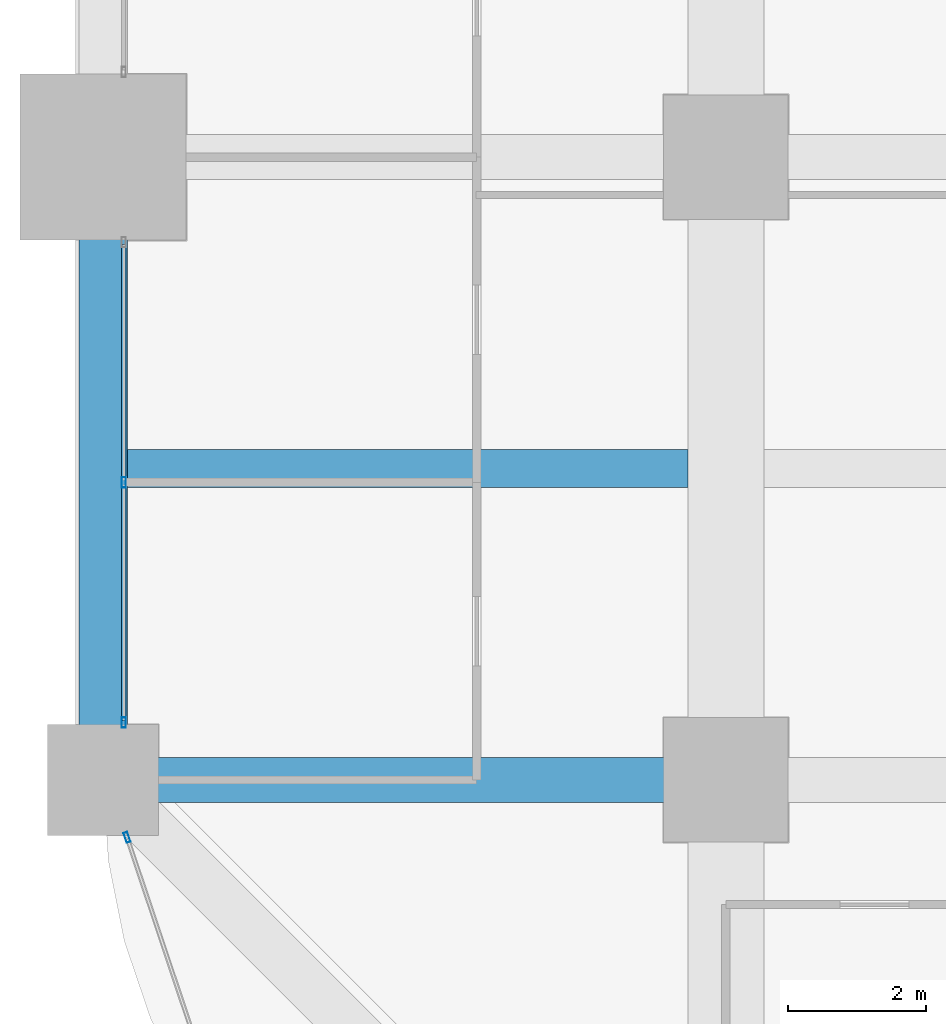
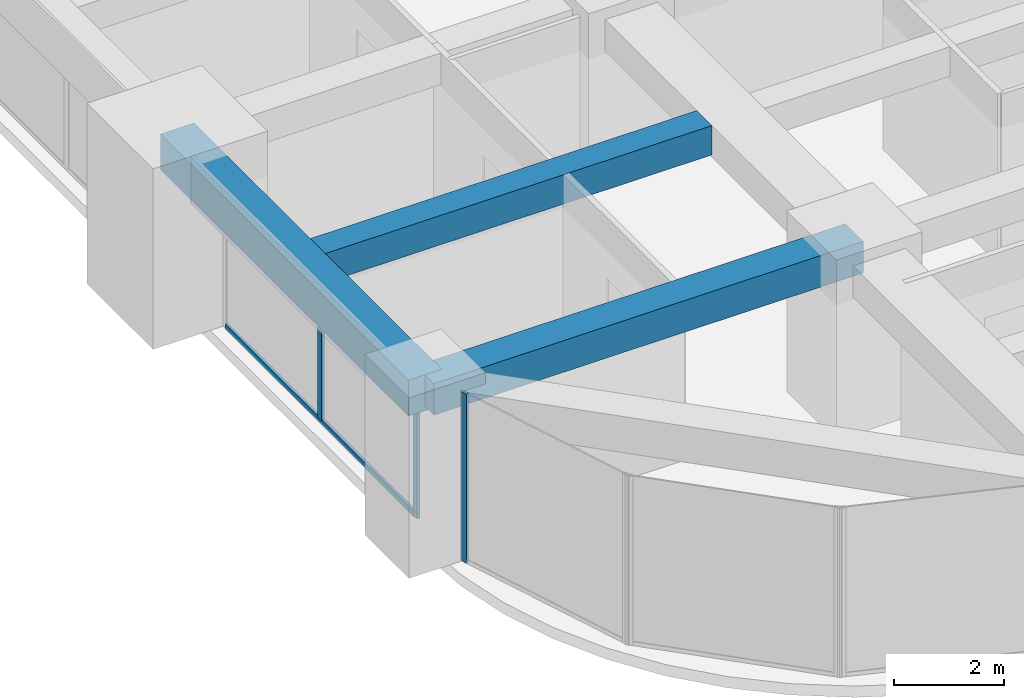
# One storey, part 4 of 41: 4 members, 3 beams, 2 elements without a shape of their own.
"""IFC4 building model written with IfcOpenShell, lengths in metres."""

from ifc_helpers import new_model, si_unit, direction, frame, origin, origin_2d, place, context, subcontext, project, spatial, rectangle, hollow_rectangle, extrude, material, material_profile, profile_set, type_object, element, aggregate, save


model = new_model("IFC4")

# Units and contexts
model_context = context("Model", 3, precision=1e-05, world=origin(), true_north=direction((0.0, 1.0)))
body_context = subcontext(model_context, "Body", "Model", "MODEL_VIEW")
ifc_project = project(units=[si_unit("LENGTHUNIT", "METRE"), si_unit("AREAUNIT", "SQUARE_METRE"), si_unit("VOLUMEUNIT", "CUBIC_METRE"), si_unit("PLANEANGLEUNIT", "RADIAN"), si_unit("MASSUNIT", "GRAM", prefix="KILO")], contexts=[model_context])

# Site, building, storey
site_placement = place(None, origin())
site = spatial("IfcSite", under=ifc_project, at=site_placement, CompositionType="ELEMENT")
building_placement = place(site_placement, origin())
building = spatial("IfcBuilding", under=site, at=building_placement, Name="Zorevar Civic Tower", CompositionType="ELEMENT")
storey_placement = place(building_placement, frame((0.0, 0.0, 137.0)))
storey = spatial("IfcBuildingStorey", under=building, at=storey_placement, Name="L33", CompositionType="ELEMENT", Elevation=137.0)

# Beams
ifc_material_1 = material(Name="Concrete C50/60", Category="concrete")
ifc_material_profile_1 = material_profile(ifc_material_1, rectangle(XDim=0.550048828125, YDim=0.64990234375, at=origin_2d()), Name="RC 550x650")
ifc_profile_set_1 = profile_set([ifc_material_profile_1], Name="Concrete C50/60")
beam_type_1 = type_object("IfcBeamType", Name="Beam RC 550x650", PredefinedType="BEAM", material=ifc_profile_set_1)
beam_1_placement = place(storey_placement, frame((0.35009765625, 13.5, 3.425048828125), z_axis=(1.0, 0.0, 0.0), x_axis=(0.0, 1.0, 0.0)))
element("IfcBeam", 1, at=beam_1_placement, inside=storey, type_object=beam_type_1, Name="Secondary beam L34", PredefinedType="BEAM", context=body_context, shape_type="SweptSolid", body=[
    extrude(rectangle(XDim=0.550048828125, YDim=0.64990234375, at=origin_2d()), origin(), (0.0, 0.0, 1.0), 8.099853515625),
])
ifc_material_2 = material(Name="Concrete C50/60", Category="concrete")
ifc_material_profile_2 = material_profile(ifc_material_2, rectangle(XDim=0.64990234375, YDim=0.699951171875, at=origin_2d()), Name="RC 650x700")
ifc_profile_set_2 = profile_set([ifc_material_profile_2], Name="Concrete C50/60")
beam_type_2 = type_object("IfcBeamType", Name="Beam RC 650x700", PredefinedType="BEAM", material=ifc_profile_set_2)
beam_2_placement = place(storey_placement, frame((0.0, 9.0, 3.39990234375), z_axis=(1.0, 0.0, 0.0), x_axis=(0.0, 1.0, 0.0)))
element("IfcBeam", 2, at=beam_2_placement, inside=storey, type_object=beam_type_2, Name="Girder L34", PredefinedType="BEAM", context=body_context, shape_type="SweptSolid", body=[
    extrude(rectangle(XDim=0.64990234375, YDim=0.699951171875, at=origin_2d()), origin(), (0.0, 0.0, 1.0), 9.0),
])

# Curtain wall, members
ifc_material_3 = material(Name="Dark grey solar-control glass in black aluminium frame", Category="aluminium")
curtain_wall_type = type_object("IfcCurtainWallType", Name="Curtain wall CW3 mid zone", PredefinedType="NOTDEFINED", material=ifc_material_3)
curtain_wall_1_placement = place(storey_placement, origin())
curtain_wall_1 = element("IfcCurtainWall", 3, at=curtain_wall_1_placement, inside=storey, type_object=curtain_wall_type, Name="CW3 L33", PredefinedType="NOTDEFINED")
ifc_material_4 = material(Name="Aluminium, black anodised", Category="aluminium")
ifc_material_profile_3 = material_profile(ifc_material_4, hollow_rectangle(XDim=0.06005859375, YDim=0.14990234375, WallThickness=0.00390625, at=origin_2d()), Name="AL 150x60x4")
ifc_profile_set_3 = profile_set([ifc_material_profile_3], Name="Aluminium, black anodised")
member_type_1 = type_object("IfcMemberType", Name="CW3 mullion AL 150x60x4", PredefinedType="MULLION", material=ifc_profile_set_3)
member_1_placement = place(storey_placement, frame((0.300048828125, 9.830078125, 0.0), z_axis=(0.0, 0.0, 1.0), x_axis=(-1.0, 0.0, 0.0)))
member_1 = element("IfcMember", 4, at=member_1_placement, type_object=member_type_1, Name="CW3 mullion 1", PredefinedType="MULLION", context=body_context, shape_type="SweptSolid", body=[
    extrude(hollow_rectangle(XDim=0.06005859375, YDim=0.14990234375, WallThickness=0.00390625, at=origin_2d()), origin(), (0.0, 0.0, 1.0), 2.949951171875),
])
member_2_placement = place(storey_placement, frame((0.300048828125, 13.300048828125, 0.06005859375), z_axis=(0.0, 0.0, 1.0), x_axis=(-1.0, 0.0, 0.0)))
member_2 = element("IfcMember", 5, at=member_2_placement, type_object=member_type_1, Name="CW3 mullion 2", PredefinedType="MULLION", context=body_context, shape_type="SweptSolid", body=[
    extrude(hollow_rectangle(XDim=0.06005859375, YDim=0.14990234375, WallThickness=0.00390625, at=origin_2d()), origin(), (0.0, 0.0, 1.0), 2.889892578125),
])

# Curtain wall, member
curtain_wall_2_placement = place(storey_placement, origin())
curtain_wall_2 = element("IfcCurtainWall", 6, at=curtain_wall_2_placement, inside=storey, type_object=curtain_wall_type, Name="CW3 L33", PredefinedType="NOTDEFINED")
member_3_placement = place(storey_placement, frame((0.346435546875, 8.171630859375, 0.0), z_axis=(0.0, 0.0, 1.0), x_axis=(0.948227238701, 0.317592669603, 0.0)))
member_3 = element("IfcMember", 7, at=member_3_placement, type_object=member_type_1, Name="CW3 mullion 1", PredefinedType="MULLION", context=body_context, shape_type="SweptSolid", body=[
    extrude(hollow_rectangle(XDim=0.06005859375, YDim=0.14990234375, WallThickness=0.00390625, at=origin_2d()), origin(), (0.0, 0.0, 1.0), 3.75),
])
aggregate(curtain_wall_2, [member_3])

# Member
ifc_material_5 = material(Name="Aluminium, black anodised", Category="aluminium")
ifc_material_profile_4 = material_profile(ifc_material_5, hollow_rectangle(XDim=0.06005859375, YDim=0.1201171875, WallThickness=0.0029296875, at=origin_2d()), Name="AL 120x60x3")
ifc_profile_set_4 = profile_set([ifc_material_profile_4], Name="Aluminium, black anodised")
member_type_2 = type_object("IfcMemberType", Name="CW3 transom AL 120x60x3", PredefinedType="USERDEFINED", material=ifc_profile_set_4)
member_4_placement = place(storey_placement, frame((0.300048828125, 9.860107421875, 0.030029296875), z_axis=(0.0, 1.0, 0.0), x_axis=(-1.0, 0.0, 0.0)))
member_4 = element("IfcMember", 8, at=member_4_placement, type_object=member_type_2, Name="CW3 sill transom", ObjectType="TRANSOM", PredefinedType="USERDEFINED", context=body_context, shape_type="SweptSolid", body=[
    extrude(hollow_rectangle(XDim=0.06005859375, YDim=0.1201171875, WallThickness=0.0029296875, at=origin_2d()), origin(), (0.0, 0.0, 1.0), 6.8798828125),
])

aggregate(curtain_wall_1, [member_1, member_2, member_4])

# Beam
ifc_material_6 = material(Name="Concrete C50/60", Category="concrete")
ifc_material_profile_5 = material_profile(ifc_material_6, rectangle(XDim=0.699951171875, YDim=0.800048828125, at=origin_2d()), Name="RC 700x800")
ifc_profile_set_5 = profile_set([ifc_material_profile_5], Name="Concrete C50/60")
beam_type_3 = type_object("IfcBeamType", Name="Edge beam RC 700x800", PredefinedType="SPANDREL", material=ifc_profile_set_5)
beam_3_placement = place(storey_placement, frame((0.0, 9.0, 3.35009765625), z_axis=(0.0, 1.0, 0.0), x_axis=(-1.0, 0.0, 0.0)))
element("IfcBeam", 9, at=beam_3_placement, inside=storey, type_object=beam_type_3, Name="Edge beam L34", PredefinedType="SPANDREL", context=body_context, shape_type="SweptSolid", body=[
    extrude(rectangle(XDim=0.699951171875, YDim=0.800048828125, at=origin_2d()), origin(), (0.0, 0.0, 1.0), 9.0),
])

save(model, "model.ifc")
